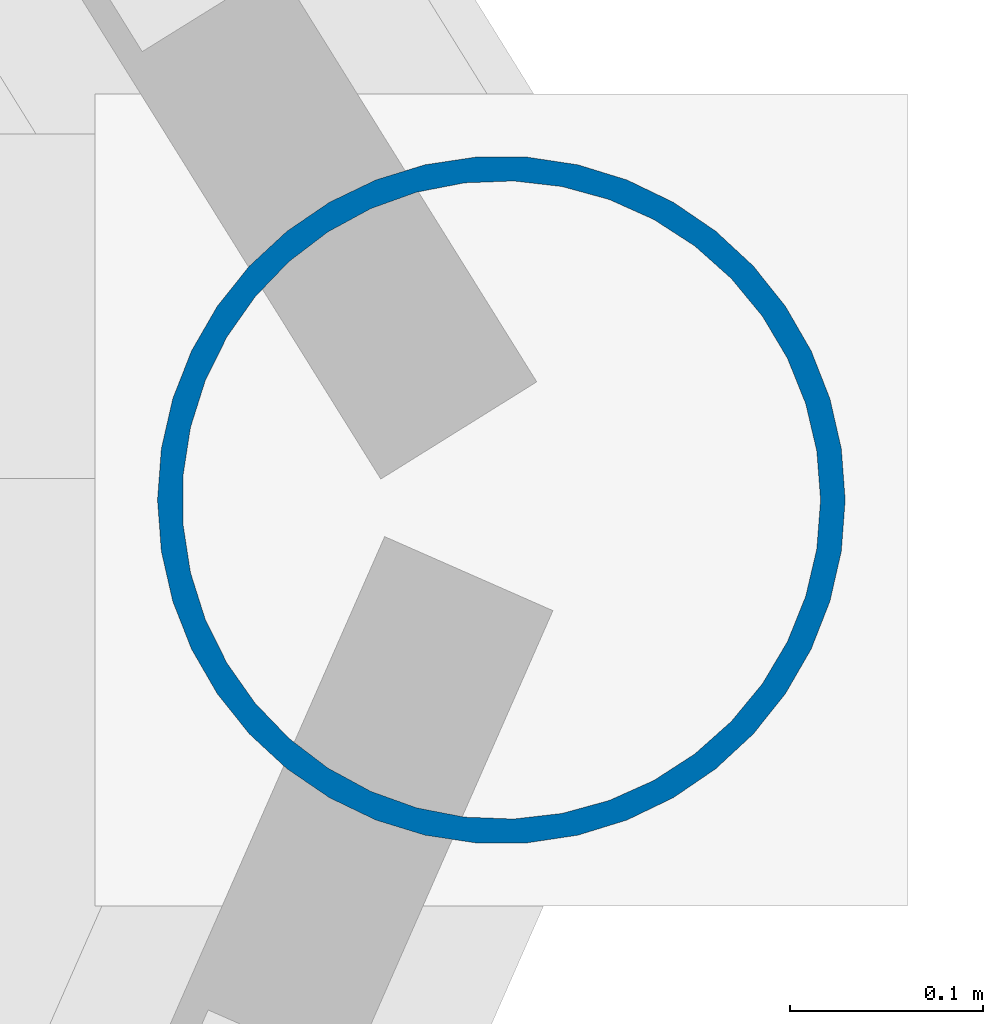
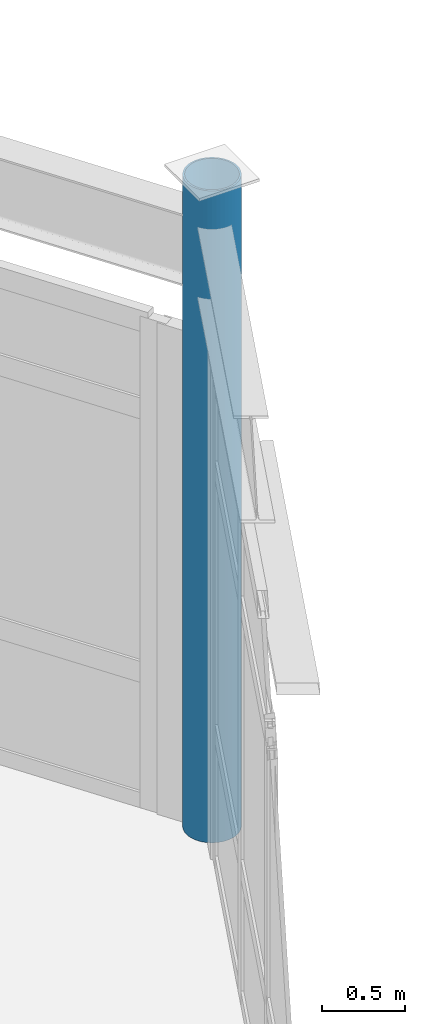
# One storey, part 18 of 114: 1 column.
"""IFC4 building model written with IfcOpenShell, lengths in metres."""

from ifc_helpers import new_model, si_unit, direction, frame, origin, origin_2d, place, context, subcontext, project, spatial, hollow_circle, extrude, material, material_profile, profile_set, type_object, element, save


model = new_model("IFC4")

# Units and contexts
model_context = context("Model", 3, precision=1e-05, world=origin(), true_north=direction((0.0, 1.0)))
body_context = subcontext(model_context, "Body", "Model", "MODEL_VIEW")
ifc_project = project(units=[si_unit("LENGTHUNIT", "METRE"), si_unit("AREAUNIT", "SQUARE_METRE"), si_unit("VOLUMEUNIT", "CUBIC_METRE"), si_unit("PLANEANGLEUNIT", "RADIAN"), si_unit("MASSUNIT", "GRAM", prefix="KILO")], contexts=[model_context])

# Site, building, storey
site_placement = place(None, origin())
site = spatial("IfcSite", under=ifc_project, at=site_placement, CompositionType="ELEMENT")
building_placement = place(site_placement, origin())
building = spatial("IfcBuilding", under=site, at=building_placement, Name="Tameran Prism Museum", CompositionType="ELEMENT")
storey_placement = place(building_placement, frame((0.0, 0.0, 10.199951171875)))
storey = spatial("IfcBuildingStorey", under=building, at=storey_placement, Name="L02", CompositionType="ELEMENT", Elevation=10.199951171875)

# Column
ifc_material = material(Name="Steel Grade C350L0 (350 MPa)", Category="steel")
ifc_material_profile = material_profile(ifc_material, hollow_circle(Radius=0.177734375, WallThickness=0.0126953125, at=origin_2d()))
ifc_profile_set = profile_set([ifc_material_profile])
column_type = type_object("IfcColumnType", Name="COL-CHS355", PredefinedType="COLUMN", material=ifc_profile_set)
column_placement = place(storey_placement, frame((166.39990234375, 34.0, 0.0), z_axis=(0.0, 0.0, 1.0), x_axis=(1.0, 0.0, 0.0)))
element("IfcColumn", 1, at=column_placement, inside=storey, type_object=column_type, Name="Column CV-70 L02", PredefinedType="COLUMN", context=body_context, shape_type="SweptSolid", body=[
    extrude(hollow_circle(Radius=0.177734375, WallThickness=0.0126953125, at=origin_2d()), origin(), (0.0, 0.0, 1.0), 4.800048828125),
])

save(model, "model.ifc")
